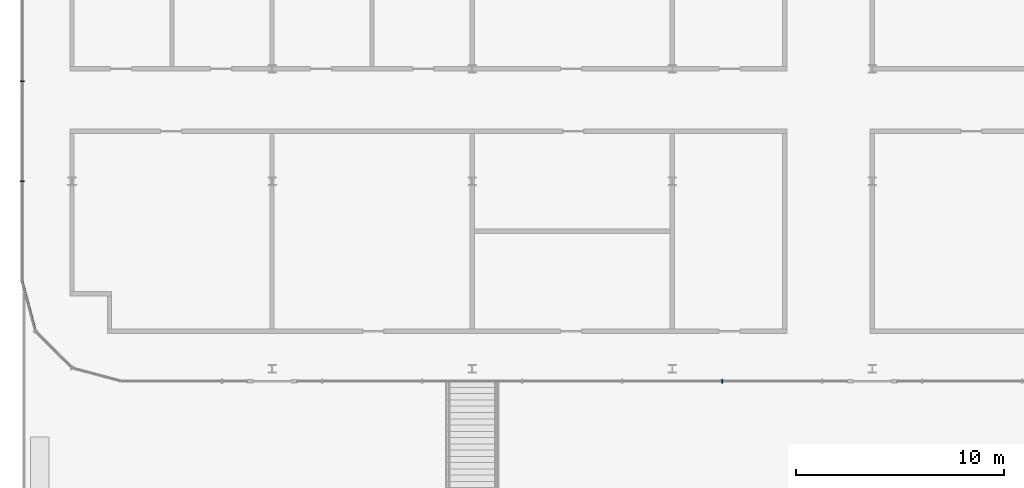
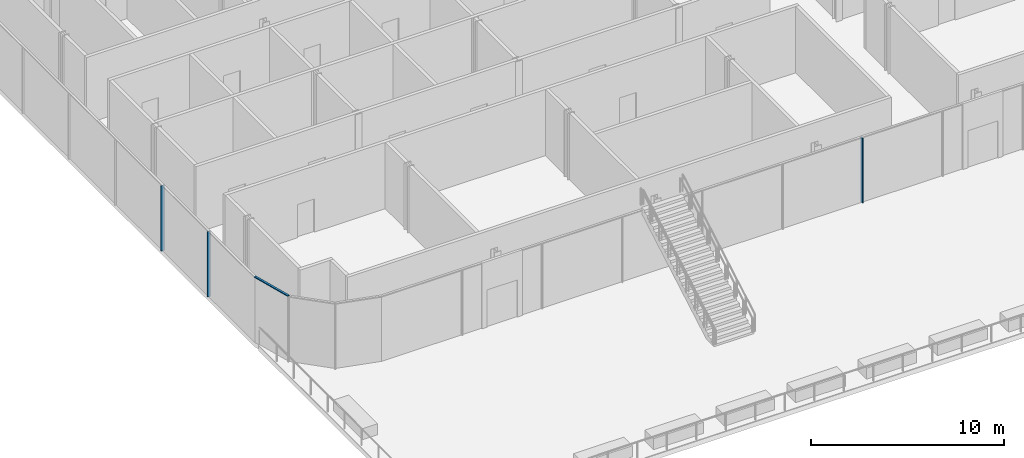
# One storey, part 8 of 45: 4 members, 3 elements without a shape of their own.
"""IFC4 building model written with IfcOpenShell, lengths in metres."""

from ifc_helpers import new_model, si_unit, direction, frame, origin, origin_2d, place, context, subcontext, project, spatial, rectangle, extrude, material, layer, layer_set, material_profile, profile_set, type_object, element, aggregate, save


model = new_model("IFC4")

# Units and contexts
model_context = context("Model", 3, precision=1e-05, world=origin(), true_north=direction((0.0, 1.0)))
body_context = subcontext(model_context, "Body", "Model", "MODEL_VIEW")
ifc_project = project(units=[si_unit("LENGTHUNIT", "METRE"), si_unit("AREAUNIT", "SQUARE_METRE"), si_unit("VOLUMEUNIT", "CUBIC_METRE"), si_unit("PLANEANGLEUNIT", "RADIAN"), si_unit("MASSUNIT", "GRAM", prefix="KILO")], contexts=[model_context])

# Site, building, storey
site_placement = place(None, origin())
site = spatial("IfcSite", under=ifc_project, at=site_placement, CompositionType="ELEMENT")
building_placement = place(site_placement, origin())
building = spatial("IfcBuilding", under=site, at=building_placement, Name="Madar Terraces", CompositionType="ELEMENT")
storey_placement = place(building_placement, frame((0.0, 0.0, 6.0)))
storey = spatial("IfcBuildingStorey", under=building, at=storey_placement, Name="L01", CompositionType="ELEMENT", Elevation=6.0)

# Curtain wall, member
ifc_material_1 = material(Name="Glass, clear low-iron, with black aluminium frame", Category="aluminium")
ifc_layer = layer(ifc_material_1, 0.199951171875)
ifc_layer_set = layer_set([ifc_layer], Name="Facade curtain wall, shopfront glazing")
curtain_wall_type = type_object("IfcCurtainWallType", Name="Facade curtain wall, shopfront glazing", PredefinedType="NOTDEFINED", material=ifc_layer_set)
curtain_wall_1_placement = place(storey_placement, origin())
curtain_wall_1 = element("IfcCurtainWall", 1, at=curtain_wall_1_placement, inside=storey, type_object=curtain_wall_type, Name="Outer skin curtain wall south bay 1", PredefinedType="NOTDEFINED")
ifc_material_2 = material(Name="Aluminium, black anodised", Category="aluminium")
ifc_material_profile_1 = material_profile(ifc_material_2, rectangle(XDim=0.199951171875, YDim=0.06005859375, at=origin_2d()), Name="Facade mullion 60x200")
ifc_profile_set_1 = profile_set([ifc_material_profile_1], Name="Aluminium, black anodised")
member_type_1 = type_object("IfcMemberType", Name="Facade mullion 60x200", PredefinedType="MULLION", material=ifc_profile_set_1)
member_1_placement = place(storey_placement, frame((26.39990234375, -38.39990234375, 0.0), z_axis=(0.0, 0.0, 1.0), x_axis=(0.0, 1.0, 0.0)))
member_1 = element("IfcMember", 2, at=member_1_placement, type_object=member_type_1, Name="Mullion 6", PredefinedType="MULLION", context=body_context, shape_type="SweptSolid", body=[
    extrude(rectangle(XDim=0.199951171875, YDim=0.06005859375, at=origin_2d()), origin(), (0.0, 0.0, 1.0), 4.139892578125),
])
aggregate(curtain_wall_1, [member_1])

# Curtain wall, members
curtain_wall_2_placement = place(storey_placement, origin())
curtain_wall_2 = element("IfcCurtainWall", 3, at=curtain_wall_2_placement, inside=storey, type_object=curtain_wall_type, Name="Outer skin curtain wall west bay 1", PredefinedType="NOTDEFINED")
member_2_placement = place(storey_placement, frame((-7.199951171875, -24.0, 0.0), z_axis=(0.0, 0.0, 1.0), x_axis=(1.0, 0.0, 0.0)))
member_2 = element("IfcMember", 4, at=member_2_placement, type_object=member_type_1, Name="Mullion 15", PredefinedType="MULLION", context=body_context, shape_type="SweptSolid", body=[
    extrude(rectangle(XDim=0.199951171875, YDim=0.06005859375, at=origin_2d()), origin(), (0.0, 0.0, 1.0), 4.139892578125),
])
member_3_placement = place(storey_placement, frame((-7.199951171875, -28.800048828125, 0.0), z_axis=(0.0, 0.0, 1.0), x_axis=(1.0, 0.0, 0.0)))
member_3 = element("IfcMember", 5, at=member_3_placement, type_object=member_type_1, Name="Mullion 16", PredefinedType="MULLION", context=body_context, shape_type="SweptSolid", body=[
    extrude(rectangle(XDim=0.199951171875, YDim=0.06005859375, at=origin_2d()), origin(), (0.0, 0.0, 1.0), 4.139892578125),
])
aggregate(curtain_wall_2, [member_2, member_3])

# Curtain wall, member
curtain_wall_3_placement = place(storey_placement, origin())
curtain_wall_3 = element("IfcCurtainWall", 6, at=curtain_wall_3_placement, inside=storey, type_object=curtain_wall_type, Name="Outer skin curtain wall south-west corner", PredefinedType="NOTDEFINED")
ifc_material_3 = material(Name="Aluminium, black anodised", Category="aluminium")
ifc_material_profile_2 = material_profile(ifc_material_3, rectangle(XDim=0.1201171875, YDim=0.06005859375, at=origin_2d()), Name="Facade transom 60x120")
ifc_profile_set_2 = profile_set([ifc_material_profile_2], Name="Aluminium, black anodised")
member_type_2 = type_object("IfcMemberType", Name="Facade transom 60x120", PredefinedType="USERDEFINED", material=ifc_profile_set_2)
member_4_placement = place(storey_placement, frame((-7.199951171875, -33.60009765625, 4.169921875), z_axis=(0.258813977271, -0.965927184196, 0.0), x_axis=(0.965927184196, 0.258813977271, 0.0)))
member_4 = element("IfcMember", 7, at=member_4_placement, type_object=member_type_2, Name="Transom 1", ObjectType="TRANSOM", PredefinedType="USERDEFINED", context=body_context, shape_type="SweptSolid", body=[
    extrude(rectangle(XDim=0.1201171875, YDim=0.06005859375, at=origin_2d()), origin(), (0.0, 0.0, 1.0), 2.45458984375),
])
aggregate(curtain_wall_3, [member_4])

save(model, "model.ifc")
